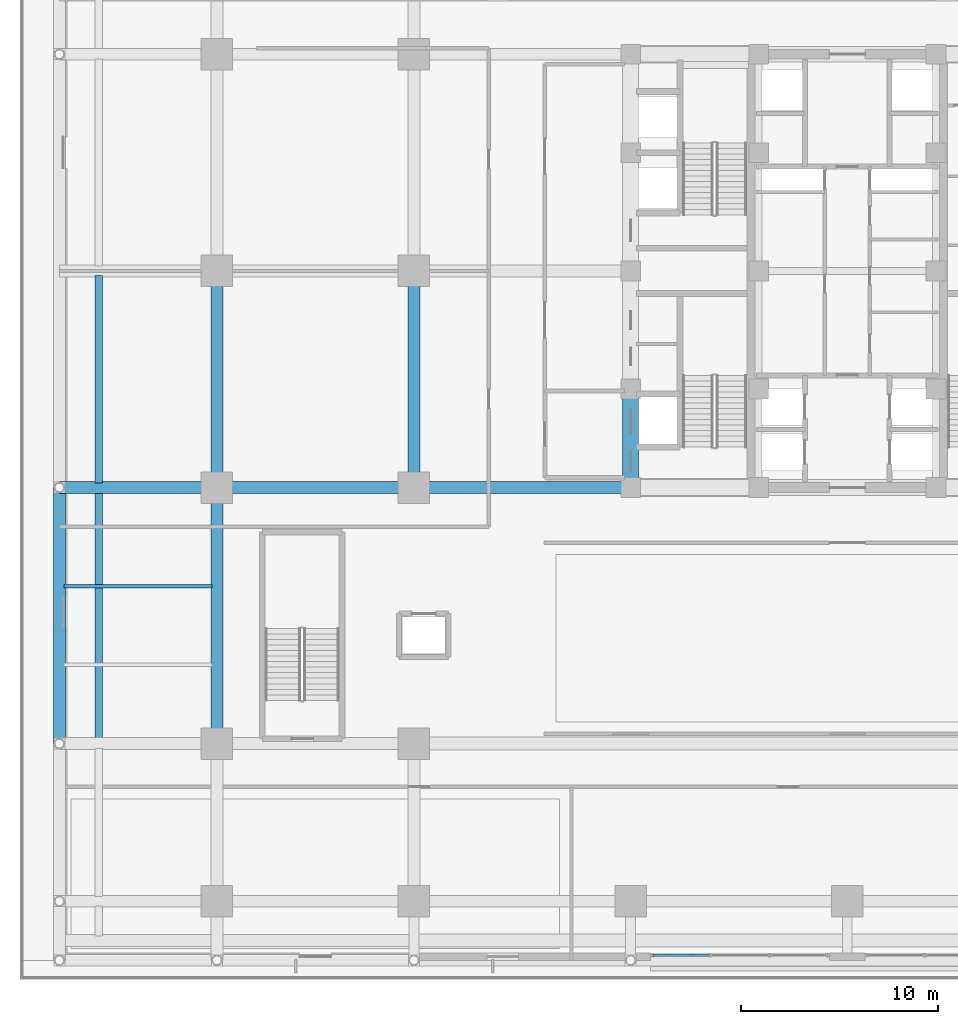
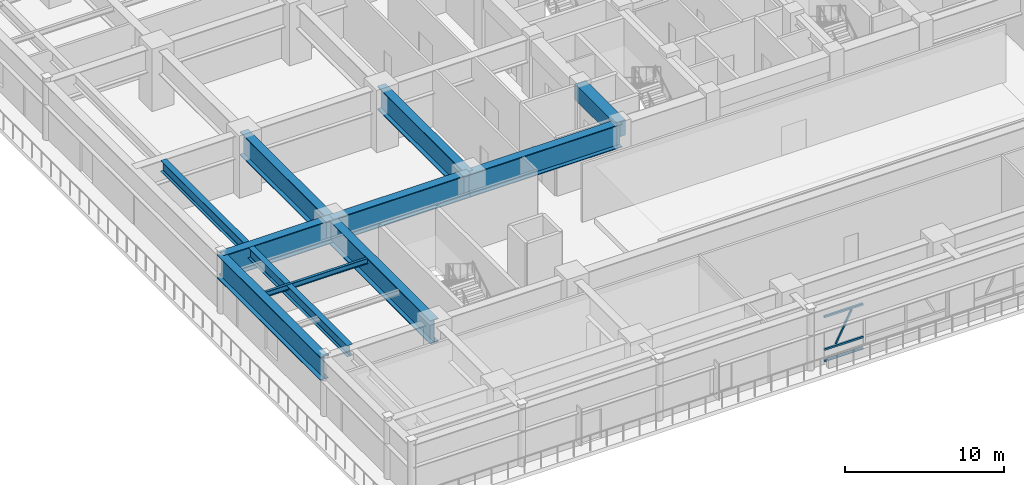
# One storey, part 9 of 38: 11 beams, 4 members, 1 element without a shape of its own.
"""IFC4 building model written with IfcOpenShell, lengths in metres."""

from ifc_helpers import new_model, si_unit, direction, frame, origin, origin_2d, place, context, subcontext, project, spatial, rectangle, hollow_rectangle, i_section, extrude, source, transform, mapped, material, material_profile, profile_set, type_object, element, aggregate, save


model = new_model("IFC4")

# Units and contexts
model_context = context("Model", 3, precision=1e-05, world=origin(), true_north=direction((0.0, 1.0)))
body_context = subcontext(model_context, "Body", "Model", "MODEL_VIEW")
ifc_project = project(units=[si_unit("LENGTHUNIT", "METRE"), si_unit("AREAUNIT", "SQUARE_METRE"), si_unit("VOLUMEUNIT", "CUBIC_METRE"), si_unit("PLANEANGLEUNIT", "RADIAN"), si_unit("MASSUNIT", "GRAM", prefix="KILO")], contexts=[model_context])

# Site, building, storey
site_placement = place(None, origin())
site = spatial("IfcSite", under=ifc_project, at=site_placement, CompositionType="ELEMENT")
building_placement = place(site_placement, origin())
building = spatial("IfcBuilding", under=site, at=building_placement, Name="Khorayat Bourse Tower", CompositionType="ELEMENT")
storey_placement = place(building_placement, frame((0.0, 0.0, 17.39990234375)))
storey = spatial("IfcBuildingStorey", under=building, at=storey_placement, Name="L03", CompositionType="ELEMENT", Elevation=17.39990234375)

# Beams
ifc_material_1 = material(Name="Concrete C72/90", Category="concrete")
ifc_material_profile_1 = material_profile(ifc_material_1, rectangle(XDim=0.800048828125, YDim=1.199951171875, at=origin_2d()), Name="RC 800x1200")
ifc_profile_set_1 = profile_set([ifc_material_profile_1], Name="Concrete C72/90")
beam_type_1 = type_object("IfcBeamType", Name="BM-COUP-1200", PredefinedType="BEAM", material=ifc_profile_set_1)
shared_shape_1 = source(origin(), body_context, "Body", "SweptSolid", [
    extrude(rectangle(XDim=0.800048828125, YDim=1.199951171875, at=origin_2d()), origin(), (0.0, 0.0, 1.0), 5.0),
])
beam_1_placement = place(storey_placement, frame((-11.0, -11.0, 3.880126953125), z_axis=(0.0, 1.0, 0.0), x_axis=(-1.0, 0.0, 0.0)))
element("IfcBeam", 1, at=beam_1_placement, inside=storey, type_object=beam_type_1, Name="L03 BM-COUP-1200 BM-L03-CRX-01", PredefinedType="BEAM", context=body_context, shape_type="MappedRepresentation", body=[
    mapped(shared_shape_1, transform((0.0, 0.0, 0.0), scale=1.0)),
])
ifc_material_2 = material(Name="Steel EN 10025-4 S460M", Category="steel")
ifc_material_profile_2 = material_profile(ifc_material_2, i_section(OverallWidth=0.60009765625, OverallDepth=1.800048828125, WebThickness=0.031982421875, FlangeThickness=0.06005859375, at=origin_2d()), Name="PG 1800x600x32x60")
ifc_profile_set_2 = profile_set([ifc_material_profile_2], Name="Steel EN 10025-4 S460M")
beam_type_2 = type_object("IfcBeamType", Name="BM-TR-1800", PredefinedType="BEAM", material=ifc_profile_set_2)
shared_shape_2 = source(origin(), body_context, "Body", "SweptSolid", [
    extrude(i_section(OverallWidth=0.60009765625, OverallDepth=1.800048828125, WebThickness=0.031982421875, FlangeThickness=0.06005859375, at=origin_2d()), origin(), (0.0, 0.0, 1.0), 10.0),
])
beam_2_placement = place(storey_placement, frame((-32.0, -11.0, 3.580078125), z_axis=(1.0, 0.0, 0.0), x_axis=(0.0, 1.0, 0.0)))
element("IfcBeam", 2, at=beam_2_placement, inside=storey, type_object=beam_type_2, Name="L03 BM-TR-1800 BM-L03-PGX-050", PredefinedType="BEAM", context=body_context, shape_type="MappedRepresentation", body=[
    mapped(shared_shape_2, transform((0.0, 0.0, 0.0), scale=1.0)),
])
shared_shape_3 = source(origin(), body_context, "Body", "SweptSolid", [
    extrude(i_section(OverallWidth=0.60009765625, OverallDepth=1.800048828125, WebThickness=0.031982421875, FlangeThickness=0.06005859375, at=origin_2d()), origin(), (0.0, 0.0, 1.0), 11.0),
])
for number, where, z_axis, x_axis, name in (
    (3, (-22.0, -11.0, 3.580078125), (1.0, 0.0, 0.0), (0.0, 1.0, 0.0), "L03 BM-TR-1800 BM-L03-PGX-051"),
    (4, (-32.0, -11.0, 3.580078125), (0.0, 1.0, 0.0), (-1.0, 0.0, 0.0), "L03 BM-TR-1800 BM-L03-PGY-116"),
    (5, (-22.0, -11.0, 3.580078125), (0.0, 1.0, 0.0), (-1.0, 0.0, 0.0), "L03 BM-TR-1800 BM-L03-PGY-123"),
):
    element("IfcBeam", number, at=place(storey_placement, frame(where, z_axis=z_axis, x_axis=x_axis)), inside=storey, type_object=beam_type_2, Name=name, PredefinedType="BEAM", context=body_context, shape_type="MappedRepresentation", body=[
        mapped(shared_shape_3, transform((0.0, 0.0, 0.0), scale=1.0)),
    ])
shared_shape_4 = source(origin(), body_context, "Body", "SweptSolid", [
    extrude(i_section(OverallWidth=0.60009765625, OverallDepth=1.800048828125, WebThickness=0.031982421875, FlangeThickness=0.06005859375, at=origin_2d()), origin(), (0.0, 0.0, 1.0), 8.0),
])
beam_3_placement = place(storey_placement, frame((-40.0, -11.0, 3.580078125), z_axis=(1.0, 0.0, 0.0), x_axis=(0.0, 1.0, 0.0)))
element("IfcBeam", 6, at=beam_3_placement, inside=storey, type_object=beam_type_2, Name="L03 BM-TR-1800 BM-L03-PGX-049", PredefinedType="BEAM", context=body_context, shape_type="MappedRepresentation", body=[
    mapped(shared_shape_4, transform((0.0, 0.0, 0.0), scale=1.0)),
])
shared_shape_5 = source(origin(), body_context, "Body", "SweptSolid", [
    extrude(i_section(OverallWidth=0.60009765625, OverallDepth=1.800048828125, WebThickness=0.031982421875, FlangeThickness=0.06005859375, at=origin_2d()), origin(), (0.0, 0.0, 1.0), 13.0),
])
for number, where, z_axis, x_axis, name in (
    (7, (-40.0, -24.0, 3.580078125), (0.0, 1.0, 0.0), (-1.0, 0.0, 0.0), "L03 BM-TR-1800 BM-L03-PGY-100"),
    (8, (-32.0, -24.0, 3.580078125), (0.0, 1.0, 0.0), (-1.0, 0.0, 0.0), "L03 BM-TR-1800 BM-L03-PGY-115"),
):
    element("IfcBeam", number, at=place(storey_placement, frame(where, z_axis=z_axis, x_axis=x_axis)), inside=storey, type_object=beam_type_2, Name=name, PredefinedType="BEAM", context=body_context, shape_type="MappedRepresentation", body=[
        mapped(shared_shape_5, transform((0.0, 0.0, 0.0), scale=1.0)),
    ])
ifc_material_3 = material(Name="Steel ASTM A992 Grade 50", Category="steel")
ifc_material_profile_3 = material_profile(ifc_material_3, i_section(OverallWidth=0.39990234375, OverallDepth=0.85498046875, WebThickness=0.018310546875, FlangeThickness=0.029296875, FilletRadius=0.02001953125, at=origin_2d()), Name="W840X299")
ifc_profile_set_3 = profile_set([ifc_material_profile_3], Name="Steel ASTM A992 Grade 50")
beam_type_3 = type_object("IfcBeamType", Name="BM-GIRD-840", PredefinedType="BEAM", material=ifc_profile_set_3)
shared_shape_6 = source(origin(), body_context, "Body", "SweptSolid", [
    extrude(i_section(OverallWidth=0.39990234375, OverallDepth=0.85498046875, WebThickness=0.018310546875, FlangeThickness=0.029296875, FilletRadius=0.02001953125, at=origin_2d()), origin(), (0.0, 0.0, 1.0), 12.52001953125),
])
beam_4_placement = place(storey_placement, frame((-38.0, -23.760009765625, 4.052490234375), z_axis=(0.0, 1.0, 0.0), x_axis=(-1.0, 0.0, 0.0)))
element("IfcBeam", 9, at=beam_4_placement, inside=storey, type_object=beam_type_3, Name="L03 BM-GIRD-840 BM-L03-PGY-107", PredefinedType="BEAM", context=body_context, shape_type="MappedRepresentation", body=[
    mapped(shared_shape_6, transform((0.0, 0.0, 0.0), scale=1.0)),
])
shared_shape_7 = source(origin(), body_context, "Body", "SweptSolid", [
    extrude(i_section(OverallWidth=0.39990234375, OverallDepth=0.85498046875, WebThickness=0.018310546875, FlangeThickness=0.029296875, FilletRadius=0.02001953125, at=origin_2d()), origin(), (0.0, 0.0, 1.0), 10.52001953125),
])
beam_5_placement = place(storey_placement, frame((-38.0, -10.760009765625, 4.052490234375), z_axis=(0.0, 1.0, 0.0), x_axis=(-1.0, 0.0, 0.0)))
element("IfcBeam", 10, at=beam_5_placement, inside=storey, type_object=beam_type_3, Name="L03 BM-GIRD-840 BM-L03-PGY-108", PredefinedType="BEAM", context=body_context, shape_type="MappedRepresentation", body=[
    mapped(shared_shape_7, transform((0.0, 0.0, 0.0), scale=1.0)),
])
ifc_material_profile_4 = material_profile(ifc_material_3, i_section(OverallWidth=0.180908203125, OverallDepth=0.4169921875, WebThickness=0.010986328125, FlangeThickness=0.018310546875, FilletRadius=0.011962890625, at=origin_2d()), Name="W410X85")
ifc_profile_set_4 = profile_set([ifc_material_profile_4], Name="Steel ASTM A992 Grade 50")
beam_type_4 = type_object("IfcBeamType", Name="BM-JOIST-410", PredefinedType="JOIST", material=ifc_profile_set_4)
shared_shape_8 = source(origin(), body_context, "Body", "SweptSolid", [
    extrude(i_section(OverallWidth=0.180908203125, OverallDepth=0.4169921875, WebThickness=0.010986328125, FlangeThickness=0.018310546875, FilletRadius=0.011962890625, at=origin_2d()), origin(), (0.0, 0.0, 1.0), 7.52001953125),
])
beam_6_placement = place(storey_placement, frame((-39.760009765625, -16.0, 4.271484375), z_axis=(1.0, 0.0, 0.0), x_axis=(0.0, 1.0, 0.0)))
element("IfcBeam", 11, at=beam_6_placement, inside=storey, type_object=beam_type_4, Name="L03 BM-JOIST-410 BM-L03-PJ-169", PredefinedType="JOIST", context=body_context, shape_type="MappedRepresentation", body=[
    mapped(shared_shape_8, transform((0.0, 0.0, 0.0), scale=1.0)),
])

# Curtain wall, members
ifc_material_4 = material(Name="Aluminium EN AW-6063 T6", Category="aluminium")
curtain_wall_type = type_object("IfcCurtainWallType", Name="CW-SYS-01", PredefinedType="NOTDEFINED", material=ifc_material_4)
curtain_wall_placement = place(storey_placement, origin())
curtain_wall = element("IfcCurtainWall", 12, at=curtain_wall_placement, inside=storey, type_object=curtain_wall_type, Name="L03 Curtain Wall CW-L03-SW", PredefinedType="NOTDEFINED")
ifc_material_profile_5 = material_profile(ifc_material_4, hollow_rectangle(XDim=0.139892578125, YDim=0.139892578125, WallThickness=0.006103515625, at=origin_2d()), Name="ALU 140x140x6")
ifc_profile_set_5 = profile_set([ifc_material_profile_5], Name="Aluminium EN AW-6063 T6")
member_type_1 = type_object("IfcMemberType", Name="CWT-HORZ-140", PredefinedType="USERDEFINED", material=ifc_profile_set_5)
shared_shape_9 = source(origin(), body_context, "Body", "SweptSolid", [
    extrude(hollow_rectangle(XDim=0.139892578125, YDim=0.139892578125, WallThickness=0.006103515625, at=origin_2d()), origin(), (0.0, 0.0, 1.0), 2.823486328125),
])
member_1_placement = place(storey_placement, frame((-9.860107421875, -34.742919921875, 0.070068359375), z_axis=(1.0, 0.0, 0.0), x_axis=(0.0, 1.0, 0.0)))
member_1 = element("IfcMember", 13, at=member_1_placement, type_object=member_type_1, Name="CW-L03-SW Horizontal Transom 1-1", ObjectType="TRANSOM", PredefinedType="USERDEFINED", context=body_context, shape_type="MappedRepresentation", body=[
    mapped(shared_shape_9, transform((0.0, 0.0, 0.0), scale=1.0)),
])
member_2_placement = place(storey_placement, frame((-9.860107421875, -34.742919921875, 0.9501953125), z_axis=(1.0, 0.0, 0.0), x_axis=(0.0, 1.0, 0.0)))
member_2 = element("IfcMember", 14, at=member_2_placement, type_object=member_type_1, Name="CW-L03-SW Horizontal Transom 1-2", ObjectType="TRANSOM", PredefinedType="USERDEFINED", context=body_context, shape_type="MappedRepresentation", body=[
    mapped(shared_shape_9, transform((0.0, 0.0, 0.0), scale=1.0)),
])
member_3_placement = place(storey_placement, frame((-9.860107421875, -34.742919921875, 3.460205078125), z_axis=(1.0, 0.0, 0.0), x_axis=(0.0, 1.0, 0.0)))
member_3 = element("IfcMember", 15, at=member_3_placement, type_object=member_type_1, Name="CW-L03-SW Horizontal Transom 1-3", ObjectType="TRANSOM", PredefinedType="USERDEFINED", context=body_context, shape_type="MappedRepresentation", body=[
    mapped(shared_shape_9, transform((0.0, 0.0, 0.0), scale=1.0)),
])
ifc_material_profile_6 = material_profile(ifc_material_4, hollow_rectangle(XDim=0.1201171875, YDim=0.1201171875, WallThickness=0.0048828125, at=origin_2d()), Name="ALU 120x120x5")
ifc_profile_set_6 = profile_set([ifc_material_profile_6], Name="Aluminium EN AW-6063 T6")
member_type_2 = type_object("IfcMemberType", Name="CWM-DIAG-120", PredefinedType="MULLION", material=ifc_profile_set_6)
shared_shape_10 = source(origin(), body_context, "Body", "SweptSolid", [
    extrude(hollow_rectangle(XDim=0.1201171875, YDim=0.1201171875, WallThickness=0.0048828125, at=origin_2d()), origin(), (0.0, 0.0, 1.0), 2.49755859375),
])
member_4_placement = place(storey_placement, frame((-9.030029296875, -34.742919921875, 1.10009765625), z_axis=(0.465806866522, 0.0, 0.884886412542), x_axis=(0.0, 1.0, 0.0)))
member_4 = element("IfcMember", 16, at=member_4_placement, type_object=member_type_2, Name="CW-L03-SW Faceted Diagonal Mullion 1", PredefinedType="MULLION", context=body_context, shape_type="MappedRepresentation", body=[
    mapped(shared_shape_10, transform((0.0, 0.0, 0.0), scale=1.0)),
])
aggregate(curtain_wall, [member_1, member_2, member_3, member_4])

save(model, "model.ifc")
